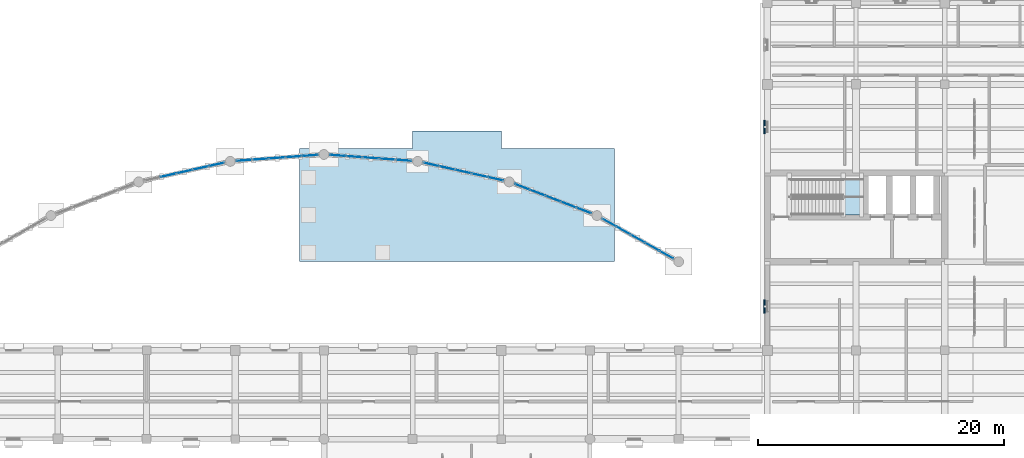
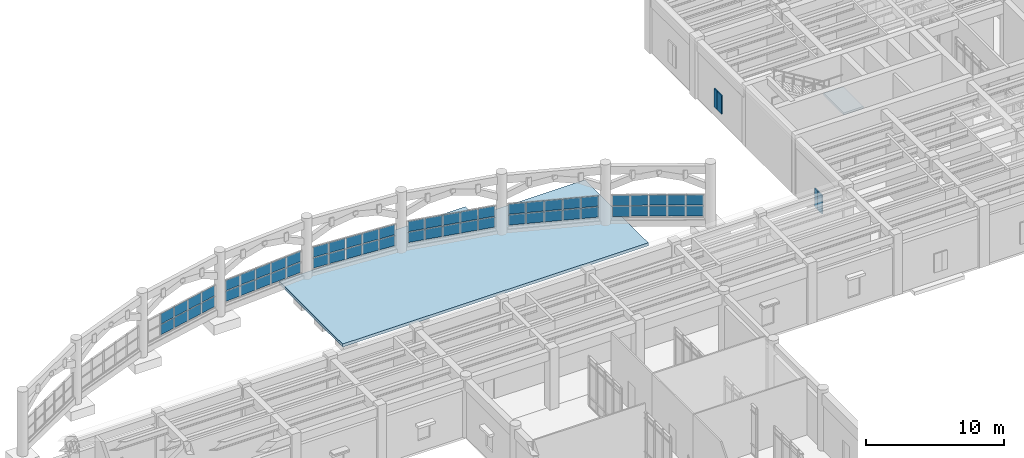
# One storey, part 60 of 100: 62 plates, 2 slabs, 7 elements without a shape of their own.
"""IFC4 building model written with IfcOpenShell, lengths in metres."""

from ifc_helpers import new_model, si_unit, direction, frame, origin, origin_2d, place, context, subcontext, project, spatial, polyline, rectangle, outline, extrude, material, layer, layer_set, type_object, element, aggregate, save


model = new_model("IFC4")

# Units and contexts
model_context = context("Model", 3, precision=1e-05, world=origin(), true_north=direction((0.0, 1.0)))
body_context = subcontext(model_context, "Body", "Model", "MODEL_VIEW")
ifc_project = project(units=[si_unit("LENGTHUNIT", "METRE"), si_unit("AREAUNIT", "SQUARE_METRE"), si_unit("VOLUMEUNIT", "CUBIC_METRE"), si_unit("PLANEANGLEUNIT", "RADIAN"), si_unit("MASSUNIT", "GRAM", prefix="KILO")], contexts=[model_context])

# Site, building, storey
site_placement = place(None, origin())
site = spatial("IfcSite", under=ifc_project, at=site_placement, CompositionType="ELEMENT")
building_placement = place(site_placement, origin())
building = spatial("IfcBuilding", under=site, at=building_placement, Name="Mithqara Police Headquarters", CompositionType="ELEMENT")
storey_placement = place(building_placement, origin())
storey = spatial("IfcBuildingStorey", under=building, at=storey_placement, Name="L00", CompositionType="ELEMENT", Elevation=0.0)

# Curtain wall, plates
ifc_material_1 = material(Name="Bronze anodised aluminium 6063-T6", Category="aluminium")
curtain_wall_type = type_object("IfcCurtainWallType", Name="CURTAIN WALL 6725X2000", PredefinedType="USERDEFINED", material=ifc_material_1)
curtain_wall_1_placement = place(storey_placement, origin())
curtain_wall_1 = element("IfcCurtainWall", 1, at=curtain_wall_1_placement, inside=storey, type_object=curtain_wall_type, Name="L00 Unitised Glazing CW-11 (CW-ARC-L00-02-0)", ObjectType="UNITISED GLAZING", PredefinedType="USERDEFINED")
ifc_material_2 = material(Name="Spectrally selective double low-e glass", Category="glass")
ifc_layer_1 = layer(ifc_material_2, 0.028076171875, Name="Spectrally selective double low-e glass")
ifc_layer_set_1 = layer_set([ifc_layer_1], Name="Spectrally selective double low-e glass")
plate_type_1 = type_object("IfcPlateType", Name="CWPANEL GLASS28", PredefinedType="CURTAIN_PANEL", material=ifc_layer_set_1)
plate_1_placement = place(storey_placement, frame((59.96435546875, 100.01904296875, 0.5849609375), z_axis=(0.0, 0.0, 1.0), x_axis=(0.975873935567, 0.218334747306, 0.0)))
plate_1 = element("IfcPlate", 2, at=plate_1_placement, type_object=plate_type_1, Name="CW-11 panel 2.1", PredefinedType="CURTAIN_PANEL", context=body_context, shape_type="SweptSolid", body=[
    extrude(rectangle(XDim=1.280029296875, YDim=0.028076171875, at=origin_2d()), origin(), (0.0, 0.0, 1.0), 0.902587890625),
])
plate_2_placement = place(storey_placement, frame((59.96435546875, 100.01904296875, 1.55224609375), z_axis=(0.0, 0.0, 1.0), x_axis=(0.975873935567, 0.218334747306, 0.0)))
plate_2 = element("IfcPlate", 3, at=plate_2_placement, type_object=plate_type_1, Name="CW-11 panel 2.2", PredefinedType="CURTAIN_PANEL", context=body_context, shape_type="SweptSolid", body=[
    extrude(rectangle(XDim=1.280029296875, YDim=0.028076171875, at=origin_2d()), origin(), (0.0, 0.0, 1.0), 0.902587890625),
])
plate_3_placement = place(storey_placement, frame((61.27685546875, 100.3125, 0.5849609375), z_axis=(0.0, 0.0, 1.0), x_axis=(0.975873935567, 0.218334747306, 0.0)))
plate_3 = element("IfcPlate", 4, at=plate_3_placement, type_object=plate_type_1, Name="CW-11 panel 3.1", PredefinedType="CURTAIN_PANEL", context=body_context, shape_type="SweptSolid", body=[
    extrude(rectangle(XDim=1.280029296875, YDim=0.028076171875, at=origin_2d()), origin(), (0.0, 0.0, 1.0), 0.902587890625),
])
plate_4_placement = place(storey_placement, frame((61.27685546875, 100.3125, 1.55224609375), z_axis=(0.0, 0.0, 1.0), x_axis=(0.975873935567, 0.218334747306, 0.0)))
plate_4 = element("IfcPlate", 5, at=plate_4_placement, type_object=plate_type_1, Name="CW-11 panel 3.2", PredefinedType="CURTAIN_PANEL", context=body_context, shape_type="SweptSolid", body=[
    extrude(rectangle(XDim=1.280029296875, YDim=0.028076171875, at=origin_2d()), origin(), (0.0, 0.0, 1.0), 0.902587890625),
])
plate_5_placement = place(storey_placement, frame((62.589111328125, 100.606201171875, 0.5849609375), z_axis=(0.0, 0.0, 1.0), x_axis=(0.975873935567, 0.218334747306, 0.0)))
plate_5 = element("IfcPlate", 6, at=plate_5_placement, type_object=plate_type_1, Name="CW-11 panel 4.1", PredefinedType="CURTAIN_PANEL", context=body_context, shape_type="SweptSolid", body=[
    extrude(rectangle(XDim=1.280029296875, YDim=0.028076171875, at=origin_2d()), origin(), (0.0, 0.0, 1.0), 0.902587890625),
])
plate_6_placement = place(storey_placement, frame((62.589111328125, 100.606201171875, 1.55224609375), z_axis=(0.0, 0.0, 1.0), x_axis=(0.975873935567, 0.218334747306, 0.0)))
plate_6 = element("IfcPlate", 7, at=plate_6_placement, type_object=plate_type_1, Name="CW-11 panel 4.2", PredefinedType="CURTAIN_PANEL", context=body_context, shape_type="SweptSolid", body=[
    extrude(rectangle(XDim=1.280029296875, YDim=0.028076171875, at=origin_2d()), origin(), (0.0, 0.0, 1.0), 0.902587890625),
])
plate_7_placement = place(storey_placement, frame((63.8857421875, 100.896240234375, 0.5849609375), z_axis=(0.0, 0.0, 1.0), x_axis=(0.975873935567, 0.218334747306, 0.0)))
plate_7 = element("IfcPlate", 8, at=plate_7_placement, type_object=plate_type_1, Name="CW-11 panel 5.1", PredefinedType="CURTAIN_PANEL", context=body_context, shape_type="SweptSolid", body=[
    extrude(rectangle(XDim=1.247314453125, YDim=0.028076171875, at=origin_2d()), origin(), (0.0, 0.0, 1.0), 0.902587890625),
])
plate_8_placement = place(storey_placement, frame((63.8857421875, 100.896240234375, 1.55224609375), z_axis=(0.0, 0.0, 1.0), x_axis=(0.975873935567, 0.218334747306, 0.0)))
plate_8 = element("IfcPlate", 9, at=plate_8_placement, type_object=plate_type_1, Name="CW-11 panel 5.2", PredefinedType="CURTAIN_PANEL", context=body_context, shape_type="SweptSolid", body=[
    extrude(rectangle(XDim=1.247314453125, YDim=0.028076171875, at=origin_2d()), origin(), (0.0, 0.0, 1.0), 0.902587890625),
])
aggregate(curtain_wall_1, [plate_1, plate_2, plate_3, plate_4, plate_5, plate_6, plate_7, plate_8])

curtain_wall_2_placement = place(storey_placement, origin())
curtain_wall_2 = element("IfcCurtainWall", 10, at=curtain_wall_2_placement, inside=storey, type_object=curtain_wall_type, Name="L00 Unitised Glazing CW-11 (CW-ARC-L00-03-0)", ObjectType="UNITISED GLAZING", PredefinedType="USERDEFINED")
plate_9_placement = place(storey_placement, frame((66.1318359375, 101.228271484375, 0.5849609375), z_axis=(0.0, 0.0, 1.0), x_axis=(0.997310071747, 0.073298163631, 0.0)))
plate_9 = element("IfcPlate", 11, at=plate_9_placement, type_object=plate_type_1, Name="CW-11 panel 1.1", PredefinedType="CURTAIN_PANEL", context=body_context, shape_type="SweptSolid", body=[
    extrude(rectangle(XDim=1.247314453125, YDim=0.028076171875, at=origin_2d()), origin(), (0.0, 0.0, 1.0), 0.902587890625),
])
plate_10_placement = place(storey_placement, frame((66.1318359375, 101.228271484375, 1.55224609375), z_axis=(0.0, 0.0, 1.0), x_axis=(0.997310071747, 0.073298163631, 0.0)))
plate_10 = element("IfcPlate", 12, at=plate_10_placement, type_object=plate_type_1, Name="CW-11 panel 1.2", PredefinedType="CURTAIN_PANEL", context=body_context, shape_type="SweptSolid", body=[
    extrude(rectangle(XDim=1.247314453125, YDim=0.028076171875, at=origin_2d()), origin(), (0.0, 0.0, 1.0), 0.902587890625),
])
plate_11_placement = place(storey_placement, frame((67.45703125, 101.32568359375, 0.5849609375), z_axis=(0.0, 0.0, 1.0), x_axis=(0.997310071747, 0.073298163631, 0.0)))
plate_11 = element("IfcPlate", 13, at=plate_11_placement, type_object=plate_type_1, Name="CW-11 panel 2.1", PredefinedType="CURTAIN_PANEL", context=body_context, shape_type="SweptSolid", body=[
    extrude(rectangle(XDim=1.280029296875, YDim=0.028076171875, at=origin_2d()), origin(), (0.0, 0.0, 1.0), 0.902587890625),
])
plate_12_placement = place(storey_placement, frame((67.45703125, 101.32568359375, 1.55224609375), z_axis=(0.0, 0.0, 1.0), x_axis=(0.997310071747, 0.073298163631, 0.0)))
plate_12 = element("IfcPlate", 14, at=plate_12_placement, type_object=plate_type_1, Name="CW-11 panel 2.2", PredefinedType="CURTAIN_PANEL", context=body_context, shape_type="SweptSolid", body=[
    extrude(rectangle(XDim=1.280029296875, YDim=0.028076171875, at=origin_2d()), origin(), (0.0, 0.0, 1.0), 0.902587890625),
])
plate_13_placement = place(storey_placement, frame((68.79833984375, 101.42431640625, 0.5849609375), z_axis=(0.0, 0.0, 1.0), x_axis=(0.997310071747, 0.073298163631, 0.0)))
plate_13 = element("IfcPlate", 15, at=plate_13_placement, type_object=plate_type_1, Name="CW-11 panel 3.1", PredefinedType="CURTAIN_PANEL", context=body_context, shape_type="SweptSolid", body=[
    extrude(rectangle(XDim=1.280029296875, YDim=0.028076171875, at=origin_2d()), origin(), (0.0, 0.0, 1.0), 0.902587890625),
])
plate_14_placement = place(storey_placement, frame((68.79833984375, 101.42431640625, 1.55224609375), z_axis=(0.0, 0.0, 1.0), x_axis=(0.997310071747, 0.073298163631, 0.0)))
plate_14 = element("IfcPlate", 16, at=plate_14_placement, type_object=plate_type_1, Name="CW-11 panel 3.2", PredefinedType="CURTAIN_PANEL", context=body_context, shape_type="SweptSolid", body=[
    extrude(rectangle(XDim=1.280029296875, YDim=0.028076171875, at=origin_2d()), origin(), (0.0, 0.0, 1.0), 0.902587890625),
])
plate_15_placement = place(storey_placement, frame((70.1396484375, 101.52294921875, 0.5849609375), z_axis=(0.0, 0.0, 1.0), x_axis=(0.997310071747, 0.073298163631, 0.0)))
plate_15 = element("IfcPlate", 17, at=plate_15_placement, type_object=plate_type_1, Name="CW-11 panel 4.1", PredefinedType="CURTAIN_PANEL", context=body_context, shape_type="SweptSolid", body=[
    extrude(rectangle(XDim=1.280029296875, YDim=0.028076171875, at=origin_2d()), origin(), (0.0, 0.0, 1.0), 0.902587890625),
])
plate_16_placement = place(storey_placement, frame((70.1396484375, 101.52294921875, 1.55224609375), z_axis=(0.0, 0.0, 1.0), x_axis=(0.997310071747, 0.073298163631, 0.0)))
plate_16 = element("IfcPlate", 18, at=plate_16_placement, type_object=plate_type_1, Name="CW-11 panel 4.2", PredefinedType="CURTAIN_PANEL", context=body_context, shape_type="SweptSolid", body=[
    extrude(rectangle(XDim=1.280029296875, YDim=0.028076171875, at=origin_2d()), origin(), (0.0, 0.0, 1.0), 0.902587890625),
])
plate_17_placement = place(storey_placement, frame((71.46484375, 101.620361328125, 0.5849609375), z_axis=(0.0, 0.0, 1.0), x_axis=(0.997310071747, 0.073298163631, 0.0)))
plate_17 = element("IfcPlate", 19, at=plate_17_placement, type_object=plate_type_1, Name="CW-11 panel 5.1", PredefinedType="CURTAIN_PANEL", context=body_context, shape_type="SweptSolid", body=[
    extrude(rectangle(XDim=1.247314453125, YDim=0.028076171875, at=origin_2d()), origin(), (0.0, 0.0, 1.0), 0.902587890625),
])
plate_18_placement = place(storey_placement, frame((71.46484375, 101.620361328125, 1.55224609375), z_axis=(0.0, 0.0, 1.0), x_axis=(0.997310071747, 0.073298163631, 0.0)))
plate_18 = element("IfcPlate", 20, at=plate_18_placement, type_object=plate_type_1, Name="CW-11 panel 5.2", PredefinedType="CURTAIN_PANEL", context=body_context, shape_type="SweptSolid", body=[
    extrude(rectangle(XDim=1.247314453125, YDim=0.028076171875, at=origin_2d()), origin(), (0.0, 0.0, 1.0), 0.902587890625),
])
aggregate(curtain_wall_2, [plate_9, plate_10, plate_11, plate_12, plate_13, plate_14, plate_15, plate_16, plate_17, plate_18])

curtain_wall_3_placement = place(storey_placement, origin())
curtain_wall_3 = element("IfcCurtainWall", 21, at=curtain_wall_3_placement, inside=storey, type_object=curtain_wall_type, Name="L00 Unitised Glazing CW-11 (CW-ARC-L00-04-0)", ObjectType="UNITISED GLAZING", PredefinedType="USERDEFINED")
plate_19_placement = place(storey_placement, frame((73.7353515625, 101.620361328125, 0.5849609375), z_axis=(0.0, 0.0, 1.0), x_axis=(0.997310071747, -0.073298163631, 0.0)))
plate_19 = element("IfcPlate", 22, at=plate_19_placement, type_object=plate_type_1, Name="CW-11 panel 1.1", PredefinedType="CURTAIN_PANEL", context=body_context, shape_type="SweptSolid", body=[
    extrude(rectangle(XDim=1.247314453125, YDim=0.028076171875, at=origin_2d()), origin(), (0.0, 0.0, 1.0), 0.902587890625),
])
plate_20_placement = place(storey_placement, frame((73.7353515625, 101.620361328125, 1.55224609375), z_axis=(0.0, 0.0, 1.0), x_axis=(0.997310071747, -0.073298163631, 0.0)))
plate_20 = element("IfcPlate", 23, at=plate_20_placement, type_object=plate_type_1, Name="CW-11 panel 1.2", PredefinedType="CURTAIN_PANEL", context=body_context, shape_type="SweptSolid", body=[
    extrude(rectangle(XDim=1.247314453125, YDim=0.028076171875, at=origin_2d()), origin(), (0.0, 0.0, 1.0), 0.902587890625),
])
plate_21_placement = place(storey_placement, frame((75.060302734375, 101.52294921875, 0.5849609375), z_axis=(0.0, 0.0, 1.0), x_axis=(0.997310071747, -0.073298163631, 0.0)))
plate_21 = element("IfcPlate", 24, at=plate_21_placement, type_object=plate_type_1, Name="CW-11 panel 2.1", PredefinedType="CURTAIN_PANEL", context=body_context, shape_type="SweptSolid", body=[
    extrude(rectangle(XDim=1.280029296875, YDim=0.028076171875, at=origin_2d()), origin(), (0.0, 0.0, 1.0), 0.902587890625),
])
plate_22_placement = place(storey_placement, frame((75.060302734375, 101.52294921875, 1.55224609375), z_axis=(0.0, 0.0, 1.0), x_axis=(0.997310071747, -0.073298163631, 0.0)))
plate_22 = element("IfcPlate", 25, at=plate_22_placement, type_object=plate_type_1, Name="CW-11 panel 2.2", PredefinedType="CURTAIN_PANEL", context=body_context, shape_type="SweptSolid", body=[
    extrude(rectangle(XDim=1.280029296875, YDim=0.028076171875, at=origin_2d()), origin(), (0.0, 0.0, 1.0), 0.902587890625),
])
plate_23_placement = place(storey_placement, frame((76.401611328125, 101.42431640625, 0.5849609375), z_axis=(0.0, 0.0, 1.0), x_axis=(0.997310071747, -0.073298163631, 0.0)))
plate_23 = element("IfcPlate", 26, at=plate_23_placement, type_object=plate_type_1, Name="CW-11 panel 3.1", PredefinedType="CURTAIN_PANEL", context=body_context, shape_type="SweptSolid", body=[
    extrude(rectangle(XDim=1.280029296875, YDim=0.028076171875, at=origin_2d()), origin(), (0.0, 0.0, 1.0), 0.902587890625),
])
plate_24_placement = place(storey_placement, frame((76.401611328125, 101.42431640625, 1.55224609375), z_axis=(0.0, 0.0, 1.0), x_axis=(0.997310071747, -0.073298163631, 0.0)))
plate_24 = element("IfcPlate", 27, at=plate_24_placement, type_object=plate_type_1, Name="CW-11 panel 3.2", PredefinedType="CURTAIN_PANEL", context=body_context, shape_type="SweptSolid", body=[
    extrude(rectangle(XDim=1.280029296875, YDim=0.028076171875, at=origin_2d()), origin(), (0.0, 0.0, 1.0), 0.902587890625),
])
plate_25_placement = place(storey_placement, frame((77.742919921875, 101.32568359375, 0.5849609375), z_axis=(0.0, 0.0, 1.0), x_axis=(0.997310071747, -0.073298163631, 0.0)))
plate_25 = element("IfcPlate", 28, at=plate_25_placement, type_object=plate_type_1, Name="CW-11 panel 4.1", PredefinedType="CURTAIN_PANEL", context=body_context, shape_type="SweptSolid", body=[
    extrude(rectangle(XDim=1.280029296875, YDim=0.028076171875, at=origin_2d()), origin(), (0.0, 0.0, 1.0), 0.902587890625),
])
plate_26_placement = place(storey_placement, frame((77.742919921875, 101.32568359375, 1.55224609375), z_axis=(0.0, 0.0, 1.0), x_axis=(0.997310071747, -0.073298163631, 0.0)))
plate_26 = element("IfcPlate", 29, at=plate_26_placement, type_object=plate_type_1, Name="CW-11 panel 4.2", PredefinedType="CURTAIN_PANEL", context=body_context, shape_type="SweptSolid", body=[
    extrude(rectangle(XDim=1.280029296875, YDim=0.028076171875, at=origin_2d()), origin(), (0.0, 0.0, 1.0), 0.902587890625),
])
plate_27_placement = place(storey_placement, frame((79.068115234375, 101.228271484375, 0.5849609375), z_axis=(0.0, 0.0, 1.0), x_axis=(0.997310071747, -0.073298163631, 0.0)))
plate_27 = element("IfcPlate", 30, at=plate_27_placement, type_object=plate_type_1, Name="CW-11 panel 5.1", PredefinedType="CURTAIN_PANEL", context=body_context, shape_type="SweptSolid", body=[
    extrude(rectangle(XDim=1.247314453125, YDim=0.028076171875, at=origin_2d()), origin(), (0.0, 0.0, 1.0), 0.902587890625),
])
plate_28_placement = place(storey_placement, frame((79.068115234375, 101.228271484375, 1.55224609375), z_axis=(0.0, 0.0, 1.0), x_axis=(0.997310071747, -0.073298163631, 0.0)))
plate_28 = element("IfcPlate", 31, at=plate_28_placement, type_object=plate_type_1, Name="CW-11 panel 5.2", PredefinedType="CURTAIN_PANEL", context=body_context, shape_type="SweptSolid", body=[
    extrude(rectangle(XDim=1.247314453125, YDim=0.028076171875, at=origin_2d()), origin(), (0.0, 0.0, 1.0), 0.902587890625),
])
aggregate(curtain_wall_3, [plate_19, plate_20, plate_21, plate_22, plate_23, plate_24, plate_25, plate_26, plate_27, plate_28])

curtain_wall_4_placement = place(storey_placement, origin())
curtain_wall_4 = element("IfcCurtainWall", 32, at=curtain_wall_4_placement, inside=storey, type_object=curtain_wall_type, Name="L00 Unitised Glazing CW-11 (CW-ARC-L00-05-0)", ObjectType="UNITISED GLAZING", PredefinedType="USERDEFINED")
plate_29_placement = place(storey_placement, frame((81.314208984375, 100.896240234375, 0.5849609375), z_axis=(0.0, 0.0, 1.0), x_axis=(0.975873935567, -0.218334747306, 0.0)))
plate_29 = element("IfcPlate", 33, at=plate_29_placement, type_object=plate_type_1, Name="CW-11 panel 1.1", PredefinedType="CURTAIN_PANEL", context=body_context, shape_type="SweptSolid", body=[
    extrude(rectangle(XDim=1.247314453125, YDim=0.028076171875, at=origin_2d()), origin(), (0.0, 0.0, 1.0), 0.902587890625),
])
plate_30_placement = place(storey_placement, frame((81.314208984375, 100.896240234375, 1.55224609375), z_axis=(0.0, 0.0, 1.0), x_axis=(0.975873935567, -0.218334747306, 0.0)))
plate_30 = element("IfcPlate", 34, at=plate_30_placement, type_object=plate_type_1, Name="CW-11 panel 1.2", PredefinedType="CURTAIN_PANEL", context=body_context, shape_type="SweptSolid", body=[
    extrude(rectangle(XDim=1.247314453125, YDim=0.028076171875, at=origin_2d()), origin(), (0.0, 0.0, 1.0), 0.902587890625),
])
plate_31_placement = place(storey_placement, frame((82.61083984375, 100.606201171875, 0.5849609375), z_axis=(0.0, 0.0, 1.0), x_axis=(0.975873935567, -0.218334747306, 0.0)))
plate_31 = element("IfcPlate", 35, at=plate_31_placement, type_object=plate_type_1, Name="CW-11 panel 2.1", PredefinedType="CURTAIN_PANEL", context=body_context, shape_type="SweptSolid", body=[
    extrude(rectangle(XDim=1.280029296875, YDim=0.028076171875, at=origin_2d()), origin(), (0.0, 0.0, 1.0), 0.902587890625),
])
plate_32_placement = place(storey_placement, frame((82.61083984375, 100.606201171875, 1.55224609375), z_axis=(0.0, 0.0, 1.0), x_axis=(0.975873935567, -0.218334747306, 0.0)))
plate_32 = element("IfcPlate", 36, at=plate_32_placement, type_object=plate_type_1, Name="CW-11 panel 2.2", PredefinedType="CURTAIN_PANEL", context=body_context, shape_type="SweptSolid", body=[
    extrude(rectangle(XDim=1.280029296875, YDim=0.028076171875, at=origin_2d()), origin(), (0.0, 0.0, 1.0), 0.902587890625),
])
plate_33_placement = place(storey_placement, frame((83.92333984375, 100.3125, 0.5849609375), z_axis=(0.0, 0.0, 1.0), x_axis=(0.975873935567, -0.218334747306, 0.0)))
plate_33 = element("IfcPlate", 37, at=plate_33_placement, type_object=plate_type_1, Name="CW-11 panel 3.1", PredefinedType="CURTAIN_PANEL", context=body_context, shape_type="SweptSolid", body=[
    extrude(rectangle(XDim=1.280029296875, YDim=0.028076171875, at=origin_2d()), origin(), (0.0, 0.0, 1.0), 0.902587890625),
])
plate_34_placement = place(storey_placement, frame((83.92333984375, 100.3125, 1.55224609375), z_axis=(0.0, 0.0, 1.0), x_axis=(0.975873935567, -0.218334747306, 0.0)))
plate_34 = element("IfcPlate", 38, at=plate_34_placement, type_object=plate_type_1, Name="CW-11 panel 3.2", PredefinedType="CURTAIN_PANEL", context=body_context, shape_type="SweptSolid", body=[
    extrude(rectangle(XDim=1.280029296875, YDim=0.028076171875, at=origin_2d()), origin(), (0.0, 0.0, 1.0), 0.902587890625),
])
plate_35_placement = place(storey_placement, frame((85.235595703125, 100.01904296875, 0.5849609375), z_axis=(0.0, 0.0, 1.0), x_axis=(0.975873935567, -0.218334747306, 0.0)))
plate_35 = element("IfcPlate", 39, at=plate_35_placement, type_object=plate_type_1, Name="CW-11 panel 4.1", PredefinedType="CURTAIN_PANEL", context=body_context, shape_type="SweptSolid", body=[
    extrude(rectangle(XDim=1.280029296875, YDim=0.028076171875, at=origin_2d()), origin(), (0.0, 0.0, 1.0), 0.902587890625),
])
plate_36_placement = place(storey_placement, frame((85.235595703125, 100.01904296875, 1.55224609375), z_axis=(0.0, 0.0, 1.0), x_axis=(0.975873935567, -0.218334747306, 0.0)))
plate_36 = element("IfcPlate", 40, at=plate_36_placement, type_object=plate_type_1, Name="CW-11 panel 4.2", PredefinedType="CURTAIN_PANEL", context=body_context, shape_type="SweptSolid", body=[
    extrude(rectangle(XDim=1.280029296875, YDim=0.028076171875, at=origin_2d()), origin(), (0.0, 0.0, 1.0), 0.902587890625),
])
plate_37_placement = place(storey_placement, frame((86.5322265625, 99.728759765625, 0.5849609375), z_axis=(0.0, 0.0, 1.0), x_axis=(0.975873935567, -0.218334747306, 0.0)))
plate_37 = element("IfcPlate", 41, at=plate_37_placement, type_object=plate_type_1, Name="CW-11 panel 5.1", PredefinedType="CURTAIN_PANEL", context=body_context, shape_type="SweptSolid", body=[
    extrude(rectangle(XDim=1.247314453125, YDim=0.028076171875, at=origin_2d()), origin(), (0.0, 0.0, 1.0), 0.902587890625),
])
plate_38_placement = place(storey_placement, frame((86.5322265625, 99.728759765625, 1.55224609375), z_axis=(0.0, 0.0, 1.0), x_axis=(0.975873935567, -0.218334747306, 0.0)))
plate_38 = element("IfcPlate", 42, at=plate_38_placement, type_object=plate_type_1, Name="CW-11 panel 5.2", PredefinedType="CURTAIN_PANEL", context=body_context, shape_type="SweptSolid", body=[
    extrude(rectangle(XDim=1.247314453125, YDim=0.028076171875, at=origin_2d()), origin(), (0.0, 0.0, 1.0), 0.902587890625),
])
aggregate(curtain_wall_4, [plate_29, plate_30, plate_31, plate_32, plate_33, plate_34, plate_35, plate_36, plate_37, plate_38])

curtain_wall_5_placement = place(storey_placement, origin())
curtain_wall_5 = element("IfcCurtainWall", 43, at=curtain_wall_5_placement, inside=storey, type_object=curtain_wall_type, Name="L00 Unitised Glazing CW-11 (CW-ARC-L00-06-0)", ObjectType="UNITISED GLAZING", PredefinedType="USERDEFINED")
plate_39_placement = place(storey_placement, frame((88.705810546875, 99.072021484375, 0.5849609375), z_axis=(0.0, 0.0, 1.0), x_axis=(0.933460537591, -0.358680114811, 0.0)))
plate_39 = element("IfcPlate", 44, at=plate_39_placement, type_object=plate_type_1, Name="CW-11 panel 1.1", PredefinedType="CURTAIN_PANEL", context=body_context, shape_type="SweptSolid", body=[
    extrude(rectangle(XDim=1.247314453125, YDim=0.028076171875, at=origin_2d()), origin(), (0.0, 0.0, 1.0), 0.902587890625),
])
plate_40_placement = place(storey_placement, frame((88.705810546875, 99.072021484375, 1.55224609375), z_axis=(0.0, 0.0, 1.0), x_axis=(0.933460537591, -0.358680114811, 0.0)))
plate_40 = element("IfcPlate", 45, at=plate_40_placement, type_object=plate_type_1, Name="CW-11 panel 1.2", PredefinedType="CURTAIN_PANEL", context=body_context, shape_type="SweptSolid", body=[
    extrude(rectangle(XDim=1.247314453125, YDim=0.028076171875, at=origin_2d()), origin(), (0.0, 0.0, 1.0), 0.902587890625),
])
plate_41_placement = place(storey_placement, frame((89.946044921875, 98.595458984375, 0.5849609375), z_axis=(0.0, 0.0, 1.0), x_axis=(0.933460537591, -0.358680114811, 0.0)))
plate_41 = element("IfcPlate", 46, at=plate_41_placement, type_object=plate_type_1, Name="CW-11 panel 2.1", PredefinedType="CURTAIN_PANEL", context=body_context, shape_type="SweptSolid", body=[
    extrude(rectangle(XDim=1.280029296875, YDim=0.028076171875, at=origin_2d()), origin(), (0.0, 0.0, 1.0), 0.902587890625),
])
plate_42_placement = place(storey_placement, frame((89.946044921875, 98.595458984375, 1.55224609375), z_axis=(0.0, 0.0, 1.0), x_axis=(0.933460537591, -0.358680114811, 0.0)))
plate_42 = element("IfcPlate", 47, at=plate_42_placement, type_object=plate_type_1, Name="CW-11 panel 2.2", PredefinedType="CURTAIN_PANEL", context=body_context, shape_type="SweptSolid", body=[
    extrude(rectangle(XDim=1.280029296875, YDim=0.028076171875, at=origin_2d()), origin(), (0.0, 0.0, 1.0), 0.902587890625),
])
plate_43_placement = place(storey_placement, frame((91.201416015625, 98.113037109375, 0.5849609375), z_axis=(0.0, 0.0, 1.0), x_axis=(0.933460537591, -0.358680114811, 0.0)))
plate_43 = element("IfcPlate", 48, at=plate_43_placement, type_object=plate_type_1, Name="CW-11 panel 3.1", PredefinedType="CURTAIN_PANEL", context=body_context, shape_type="SweptSolid", body=[
    extrude(rectangle(XDim=1.280029296875, YDim=0.028076171875, at=origin_2d()), origin(), (0.0, 0.0, 1.0), 0.902587890625),
])
plate_44_placement = place(storey_placement, frame((91.201416015625, 98.113037109375, 1.55224609375), z_axis=(0.0, 0.0, 1.0), x_axis=(0.933460537591, -0.358680114811, 0.0)))
plate_44 = element("IfcPlate", 49, at=plate_44_placement, type_object=plate_type_1, Name="CW-11 panel 3.2", PredefinedType="CURTAIN_PANEL", context=body_context, shape_type="SweptSolid", body=[
    extrude(rectangle(XDim=1.280029296875, YDim=0.028076171875, at=origin_2d()), origin(), (0.0, 0.0, 1.0), 0.902587890625),
])
plate_45_placement = place(storey_placement, frame((92.45703125, 97.630615234375, 0.5849609375), z_axis=(0.0, 0.0, 1.0), x_axis=(0.933460537591, -0.358680114811, 0.0)))
plate_45 = element("IfcPlate", 50, at=plate_45_placement, type_object=plate_type_1, Name="CW-11 panel 4.1", PredefinedType="CURTAIN_PANEL", context=body_context, shape_type="SweptSolid", body=[
    extrude(rectangle(XDim=1.280029296875, YDim=0.028076171875, at=origin_2d()), origin(), (0.0, 0.0, 1.0), 0.902587890625),
])
plate_46_placement = place(storey_placement, frame((92.45703125, 97.630615234375, 1.55224609375), z_axis=(0.0, 0.0, 1.0), x_axis=(0.933460537591, -0.358680114811, 0.0)))
plate_46 = element("IfcPlate", 51, at=plate_46_placement, type_object=plate_type_1, Name="CW-11 panel 4.2", PredefinedType="CURTAIN_PANEL", context=body_context, shape_type="SweptSolid", body=[
    extrude(rectangle(XDim=1.280029296875, YDim=0.028076171875, at=origin_2d()), origin(), (0.0, 0.0, 1.0), 0.902587890625),
])
plate_47_placement = place(storey_placement, frame((93.697265625, 97.154052734375, 0.5849609375), z_axis=(0.0, 0.0, 1.0), x_axis=(0.933460537591, -0.358680114811, 0.0)))
plate_47 = element("IfcPlate", 52, at=plate_47_placement, type_object=plate_type_1, Name="CW-11 panel 5.1", PredefinedType="CURTAIN_PANEL", context=body_context, shape_type="SweptSolid", body=[
    extrude(rectangle(XDim=1.247314453125, YDim=0.028076171875, at=origin_2d()), origin(), (0.0, 0.0, 1.0), 0.902587890625),
])
plate_48_placement = place(storey_placement, frame((93.697265625, 97.154052734375, 1.55224609375), z_axis=(0.0, 0.0, 1.0), x_axis=(0.933460537591, -0.358680114811, 0.0)))
plate_48 = element("IfcPlate", 53, at=plate_48_placement, type_object=plate_type_1, Name="CW-11 panel 5.2", PredefinedType="CURTAIN_PANEL", context=body_context, shape_type="SweptSolid", body=[
    extrude(rectangle(XDim=1.247314453125, YDim=0.028076171875, at=origin_2d()), origin(), (0.0, 0.0, 1.0), 0.902587890625),
])
aggregate(curtain_wall_5, [plate_39, plate_40, plate_41, plate_42, plate_43, plate_44, plate_45, plate_46, plate_47, plate_48])

curtain_wall_6_placement = place(storey_placement, origin())
curtain_wall_6 = element("IfcCurtainWall", 54, at=curtain_wall_6_placement, inside=storey, type_object=curtain_wall_type, Name="L00 Unitised Glazing CW-11 (CW-ARC-L00-07-0)", ObjectType="UNITISED GLAZING", PredefinedType="USERDEFINED")
plate_49_placement = place(storey_placement, frame((95.751220703125, 96.1865234375, 0.5849609375), z_axis=(0.0, 0.0, 1.0), x_axis=(0.870981567969, -0.491315691036, 0.0)))
plate_49 = element("IfcPlate", 55, at=plate_49_placement, type_object=plate_type_1, Name="CW-11 panel 1.1", PredefinedType="CURTAIN_PANEL", context=body_context, shape_type="SweptSolid", body=[
    extrude(rectangle(XDim=1.247314453125, YDim=0.028076171875, at=origin_2d()), origin(), (0.0, 0.0, 1.0), 0.902587890625),
])
plate_50_placement = place(storey_placement, frame((95.751220703125, 96.1865234375, 1.55224609375), z_axis=(0.0, 0.0, 1.0), x_axis=(0.870981567969, -0.491315691036, 0.0)))
plate_50 = element("IfcPlate", 56, at=plate_50_placement, type_object=plate_type_1, Name="CW-11 panel 1.2", PredefinedType="CURTAIN_PANEL", context=body_context, shape_type="SweptSolid", body=[
    extrude(rectangle(XDim=1.247314453125, YDim=0.028076171875, at=origin_2d()), origin(), (0.0, 0.0, 1.0), 0.902587890625),
])
plate_51_placement = place(storey_placement, frame((96.908447265625, 95.53369140625, 0.5849609375), z_axis=(0.0, 0.0, 1.0), x_axis=(0.870981567969, -0.491315691036, 0.0)))
plate_51 = element("IfcPlate", 57, at=plate_51_placement, type_object=plate_type_1, Name="CW-11 panel 2.1", PredefinedType="CURTAIN_PANEL", context=body_context, shape_type="SweptSolid", body=[
    extrude(rectangle(XDim=1.280029296875, YDim=0.028076171875, at=origin_2d()), origin(), (0.0, 0.0, 1.0), 0.902587890625),
])
plate_52_placement = place(storey_placement, frame((96.908447265625, 95.53369140625, 1.55224609375), z_axis=(0.0, 0.0, 1.0), x_axis=(0.870981567969, -0.491315691036, 0.0)))
plate_52 = element("IfcPlate", 58, at=plate_52_placement, type_object=plate_type_1, Name="CW-11 panel 2.2", PredefinedType="CURTAIN_PANEL", context=body_context, shape_type="SweptSolid", body=[
    extrude(rectangle(XDim=1.280029296875, YDim=0.028076171875, at=origin_2d()), origin(), (0.0, 0.0, 1.0), 0.902587890625),
])
plate_53_placement = place(storey_placement, frame((98.079833984375, 94.872802734375, 0.5849609375), z_axis=(0.0, 0.0, 1.0), x_axis=(0.870981567969, -0.491315691036, 0.0)))
plate_53 = element("IfcPlate", 59, at=plate_53_placement, type_object=plate_type_1, Name="CW-11 panel 3.1", PredefinedType="CURTAIN_PANEL", context=body_context, shape_type="SweptSolid", body=[
    extrude(rectangle(XDim=1.280029296875, YDim=0.028076171875, at=origin_2d()), origin(), (0.0, 0.0, 1.0), 0.902587890625),
])
plate_54_placement = place(storey_placement, frame((98.079833984375, 94.872802734375, 1.55224609375), z_axis=(0.0, 0.0, 1.0), x_axis=(0.870981567969, -0.491315691036, 0.0)))
plate_54 = element("IfcPlate", 60, at=plate_54_placement, type_object=plate_type_1, Name="CW-11 panel 3.2", PredefinedType="CURTAIN_PANEL", context=body_context, shape_type="SweptSolid", body=[
    extrude(rectangle(XDim=1.280029296875, YDim=0.028076171875, at=origin_2d()), origin(), (0.0, 0.0, 1.0), 0.902587890625),
])
plate_55_placement = place(storey_placement, frame((99.251220703125, 94.212158203125, 0.5849609375), z_axis=(0.0, 0.0, 1.0), x_axis=(0.870981567969, -0.491315691036, 0.0)))
plate_55 = element("IfcPlate", 61, at=plate_55_placement, type_object=plate_type_1, Name="CW-11 panel 4.1", PredefinedType="CURTAIN_PANEL", context=body_context, shape_type="SweptSolid", body=[
    extrude(rectangle(XDim=1.280029296875, YDim=0.028076171875, at=origin_2d()), origin(), (0.0, 0.0, 1.0), 0.902587890625),
])
plate_56_placement = place(storey_placement, frame((99.251220703125, 94.212158203125, 1.55224609375), z_axis=(0.0, 0.0, 1.0), x_axis=(0.870981567969, -0.491315691036, 0.0)))
plate_56 = element("IfcPlate", 62, at=plate_56_placement, type_object=plate_type_1, Name="CW-11 panel 4.2", PredefinedType="CURTAIN_PANEL", context=body_context, shape_type="SweptSolid", body=[
    extrude(rectangle(XDim=1.280029296875, YDim=0.028076171875, at=origin_2d()), origin(), (0.0, 0.0, 1.0), 0.902587890625),
])
plate_57_placement = place(storey_placement, frame((100.408447265625, 93.559326171875, 0.5849609375), z_axis=(0.0, 0.0, 1.0), x_axis=(0.870981567969, -0.491315691036, 0.0)))
plate_57 = element("IfcPlate", 63, at=plate_57_placement, type_object=plate_type_1, Name="CW-11 panel 5.1", PredefinedType="CURTAIN_PANEL", context=body_context, shape_type="SweptSolid", body=[
    extrude(rectangle(XDim=1.247314453125, YDim=0.028076171875, at=origin_2d()), origin(), (0.0, 0.0, 1.0), 0.902587890625),
])
plate_58_placement = place(storey_placement, frame((100.408447265625, 93.559326171875, 1.55224609375), z_axis=(0.0, 0.0, 1.0), x_axis=(0.870981567969, -0.491315691036, 0.0)))
plate_58 = element("IfcPlate", 64, at=plate_58_placement, type_object=plate_type_1, Name="CW-11 panel 5.2", PredefinedType="CURTAIN_PANEL", context=body_context, shape_type="SweptSolid", body=[
    extrude(rectangle(XDim=1.247314453125, YDim=0.028076171875, at=origin_2d()), origin(), (0.0, 0.0, 1.0), 0.902587890625),
])
aggregate(curtain_wall_6, [plate_49, plate_50, plate_51, plate_52, plate_53, plate_54, plate_55, plate_56, plate_57, plate_58])

# Slab
ifc_material_3 = material(Name="Concrete C40/50", Category="concrete")
ifc_layer_2 = layer(ifc_material_3, 0.260009765625, Name="Concrete C40/50")
ifc_layer_set_2 = layer_set([ifc_layer_2], Name="Concrete C40/50")
slab_type_1 = type_object("IfcSlabType", Name="PAVING SLAB 260", PredefinedType="FLOOR", material=ifc_layer_set_2)
slab_1_placement = place(storey_placement, frame((0.0, 0.0, -0.260009765625)))
element("IfcSlab", 65, at=slab_1_placement, inside=storey, type_object=slab_type_1, Name="Public Entrance Portal Forecourt Apron", PredefinedType="FLOOR", context=body_context, shape_type="SweptSolid", body=[
    extrude(outline(polyline([(96.199951171875, 93.0), (70.60009765625, 93.0), (70.60009765625, 102.199951171875), (79.800048828125, 102.199951171875), (79.800048828125, 103.60009765625), (87.0, 103.60009765625), (87.0, 102.199951171875), (96.199951171875, 102.199951171875), (96.199951171875, 93.0)])), origin(), (0.0, 0.0, 1.0), 0.260009765625),
])

# Stair, slab
stair_type = type_object("IfcStairType", Name="STAIR ST 01-R32", PredefinedType="HALF_TURN_STAIR", material=ifc_material_3)
stair_placement = place(storey_placement, origin())
stair = element("IfcStair", 66, at=stair_placement, inside=storey, type_object=stair_type, Name="L00 Core C1 Command West Exit Stair", PredefinedType="HALF_TURN_STAIR")
ifc_layer_3 = layer(ifc_material_3, 0.199951171875, Name="Concrete C40/50")
ifc_layer_set_3 = layer_set([ifc_layer_3], Name="Concrete C40/50")
slab_type_2 = type_object("IfcSlabType", Name="STAIR LANDING 200", PredefinedType="LANDING", material=ifc_layer_set_3)
slab_2_placement = place(storey_placement, frame((0.0, 0.0, 2.5)))
slab_2 = element("IfcSlab", 67, at=slab_2_placement, type_object=slab_type_2, Name="ST-01 landing 1", PredefinedType="LANDING", context=body_context, shape_type="SweptSolid", body=[
    extrude(outline(polyline([(114.75, 96.800048828125), (116.39990234375, 96.800048828125), (116.39990234375, 99.699951171875), (114.75, 99.699951171875), (114.75, 96.800048828125)])), origin(), (0.0, 0.0, 1.0), 0.199951171875),
])
aggregate(stair, [slab_2])

# Plates
ifc_material_4 = material(Name="Limestone ashlar masonry, 45 MPa", Category="masonry")
ifc_layer_4 = layer(ifc_material_4, 0.10009765625, Name="Limestone ashlar masonry, 45 MPa")
ifc_layer_set_4 = layer_set([ifc_layer_4], Name="Limestone ashlar masonry, 45 MPa")
plate_type_2 = type_object("IfcPlateType", Name="STONE SCREEN 100", PredefinedType="USERDEFINED", material=ifc_layer_set_4)
for number, where, z_axis, x_axis, name in (
    (68, (108.3701171875, 104.137451171875, 0.830078125), (0.0, 0.0, 1.0), (0.0, 1.0, 0.0), "L00 Pierced Limestone Vertical-Slit Panel 21"),
    (69, (108.3701171875, 103.71240234375, 0.830078125), (0.0, 0.0, 1.0), (0.0, 1.0, 0.0), "L00 Pierced Limestone Vertical-Slit Panel 22"),
    (70, (108.3701171875, 89.577392578125, 0.830078125), (0.0, 0.0, 1.0), (0.0, 1.0, 0.0), "L00 Pierced Limestone Vertical-Slit Panel 25"),
    (71, (108.3701171875, 89.152587890625, 0.830078125), (0.0, 0.0, 1.0), (0.0, 1.0, 0.0), "L00 Pierced Limestone Vertical-Slit Panel 26"),
):
    element("IfcPlate", number, at=place(storey_placement, frame(where, z_axis=z_axis, x_axis=x_axis)), inside=storey, type_object=plate_type_2, Name=name, ObjectType="STONE SCREEN", PredefinedType="USERDEFINED", context=body_context, shape_type="SweptSolid", body=[
        extrude(rectangle(XDim=0.656005859375, YDim=0.10009765625, at=origin_2d()), origin(), (0.0, 0.0, 1.0), 1.639892578125),
    ])

save(model, "model.ifc")
